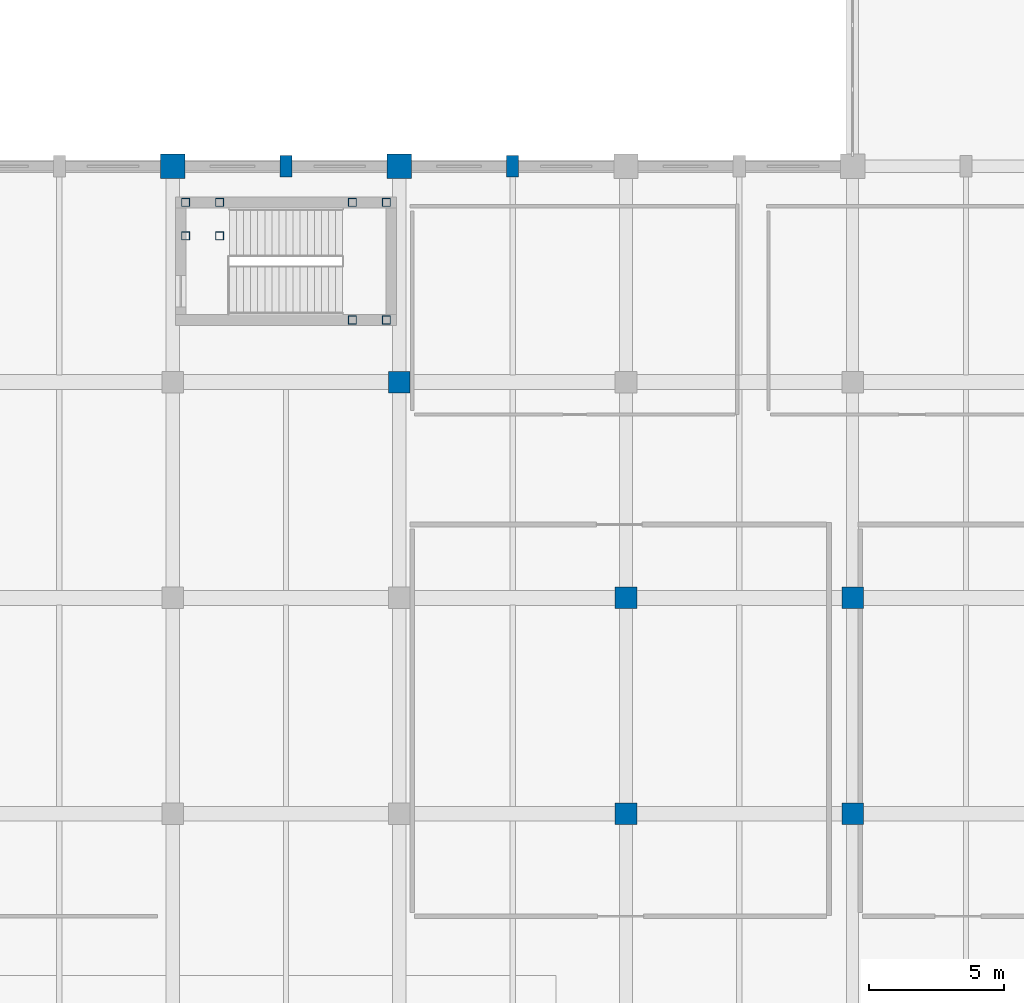
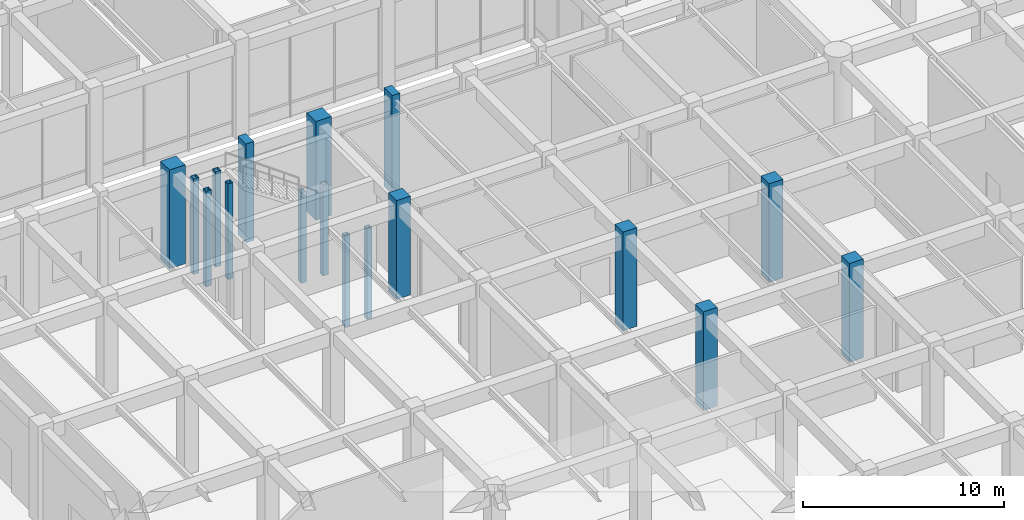
# One storey, part 3 of 76: 17 columns.
"""IFC4 building model written with IfcOpenShell, lengths in metres."""

from ifc_helpers import new_model, si_unit, direction, frame, origin, origin_2d, place, context, subcontext, project, spatial, rectangle, hollow_rectangle, extrude, material, material_profile, profile_set, type_object, element, save


model = new_model("IFC4")

# Units and contexts
model_context = context("Model", 3, precision=1e-05, world=origin(), true_north=direction((0.0, 1.0)))
body_context = subcontext(model_context, "Body", "Model", "MODEL_VIEW")
ifc_project = project(units=[si_unit("LENGTHUNIT", "METRE"), si_unit("AREAUNIT", "SQUARE_METRE"), si_unit("VOLUMEUNIT", "CUBIC_METRE"), si_unit("PLANEANGLEUNIT", "RADIAN"), si_unit("MASSUNIT", "GRAM", prefix="KILO")], contexts=[model_context])

# Site, building, storey
site_placement = place(None, origin())
site = spatial("IfcSite", under=ifc_project, at=site_placement, CompositionType="ELEMENT")
building_placement = place(site_placement, origin())
building = spatial("IfcBuilding", under=site, at=building_placement, Name="Naruveol Harbour Congress Hotel", CompositionType="ELEMENT")
storey_placement = place(building_placement, origin())
storey = spatial("IfcBuildingStorey", under=building, at=storey_placement, Name="L00", CompositionType="ELEMENT", Elevation=0.0)

# Columns
ifc_material_1 = material(Name="Concrete C50/60", Category="concrete")
ifc_material_profile_1 = material_profile(ifc_material_1, rectangle(XDim=0.449951171875, YDim=0.800048828125, at=origin_2d()), Name="RC-450x800")
ifc_profile_set_1 = profile_set([ifc_material_profile_1], Name="Concrete C50/60")
column_type_1 = type_object("IfcColumnType", Name="RC ACOUSTIC WALL PILASTER 450X800", PredefinedType="PILASTER", material=ifc_profile_set_1)
for number, where, z_axis, x_axis, name in (
    (1, (21.0, 56.0, 0.0), (0.0, 0.0, 1.0), (1.0, 0.0, 0.0), "Column PL-450 L00 (21.0,56.0)"),
    (2, (29.39990234375, 56.0, 0.0), (0.0, 0.0, 1.0), (1.0, 0.0, 0.0), "Column PL-450 L00 (29.4,56.0)"),
):
    element("IfcColumn", number, at=place(storey_placement, frame(where, z_axis=z_axis, x_axis=x_axis)), inside=storey, type_object=column_type_1, Name=name, PredefinedType="PILASTER", context=body_context, shape_type="SweptSolid", body=[
        extrude(rectangle(XDim=0.449951171875, YDim=0.800048828125, at=origin_2d()), origin(), (0.0, 0.0, 1.0), 6.0),
    ])
ifc_material_2 = material(Name="Concrete C50/60", Category="concrete")
ifc_material_profile_2 = material_profile(ifc_material_2, rectangle(XDim=0.800048828125, YDim=0.800048828125, at=origin_2d()), Name="RC-800x800")
ifc_profile_set_2 = profile_set([ifc_material_profile_2], Name="Concrete C50/60")
column_type_2 = type_object("IfcColumnType", Name="RC PODIUM COLUMN 800X800", PredefinedType="COLUMN", material=ifc_profile_set_2)
for number, where, z_axis, x_axis, name in (
    (3, (25.199951171875, 48.0, 0.0), (0.0, 0.0, 1.0), (1.0, 0.0, 0.0), "Column C-800 L00 (25.2,48.0)"),
    (4, (33.60009765625, 32.0, 0.0), (0.0, 0.0, 1.0), (1.0, 0.0, 0.0), "Column C-800 L00 (33.6,32.0)"),
    (5, (33.60009765625, 40.0, 0.0), (0.0, 0.0, 1.0), (1.0, 0.0, 0.0), "Column C-800 L00 (33.6,40.0)"),
    (6, (42.0, 32.0, 0.0), (0.0, 0.0, 1.0), (1.0, 0.0, 0.0), "Column C-800 L00 (42.0,32.0)"),
    (7, (42.0, 40.0, 0.0), (0.0, 0.0, 1.0), (1.0, 0.0, 0.0), "Column C-800 L00 (42.0,40.0)"),
):
    element("IfcColumn", number, at=place(storey_placement, frame(where, z_axis=z_axis, x_axis=x_axis)), inside=storey, type_object=column_type_2, Name=name, PredefinedType="COLUMN", context=body_context, shape_type="SweptSolid", body=[
        extrude(rectangle(XDim=0.800048828125, YDim=0.800048828125, at=origin_2d()), origin(), (0.0, 0.0, 1.0), 6.0),
    ])
ifc_material_3 = material(Name="Concrete C50/60", Category="concrete")
ifc_material_profile_3 = material_profile(ifc_material_3, rectangle(XDim=0.89990234375, YDim=0.89990234375, at=origin_2d()), Name="RC-900x900")
ifc_profile_set_3 = profile_set([ifc_material_profile_3], Name="Concrete C50/60")
column_type_3 = type_object("IfcColumnType", Name="RC PRIMARY COLUMN 900X900", PredefinedType="COLUMN", material=ifc_profile_set_3)
for number, where, z_axis, x_axis, name in (
    (8, (16.800048828125, 56.0, 0.0), (0.0, 0.0, 1.0), (1.0, 0.0, 0.0), "Column C-900 L00 (16.8,56.0)"),
    (9, (25.199951171875, 56.0, 0.0), (0.0, 0.0, 1.0), (1.0, 0.0, 0.0), "Column C-900 L00 (25.2,56.0)"),
):
    element("IfcColumn", number, at=place(storey_placement, frame(where, z_axis=z_axis, x_axis=x_axis)), inside=storey, type_object=column_type_3, Name=name, PredefinedType="COLUMN", context=body_context, shape_type="SweptSolid", body=[
        extrude(rectangle(XDim=0.89990234375, YDim=0.89990234375, at=origin_2d()), origin(), (0.0, 0.0, 1.0), 6.0),
    ])
ifc_material_4 = material(Name="Steel SN490", Category="steel")
ifc_material_profile_4 = material_profile(ifc_material_4, hollow_rectangle(XDim=0.300048828125, YDim=0.300048828125, WallThickness=0.011962890625, at=origin_2d()), Name="SHS-300x300x12")
ifc_profile_set_4 = profile_set([ifc_material_profile_4], Name="Steel SN490")
column_type_4 = type_object("IfcColumnType", Name="STEEL COLONNADE POST SHS300", PredefinedType="COLUMN", material=ifc_profile_set_4)
for number, where, z_axis, x_axis, name in (
    (10, (17.280029296875, 53.419921875, 0.0), (0.0, 0.0, 1.0), (1.0, 0.0, 0.0), "Stair landing support post ST6W #362"),
    (11, (17.280029296875, 54.659912109375, 0.0), (0.0, 0.0, 1.0), (1.0, 0.0, 0.0), "Stair landing support post ST6W #365"),
    (12, (18.5400390625, 53.419921875, 0.0), (0.0, 0.0, 1.0), (1.0, 0.0, 0.0), "Stair landing support post ST6W #368"),
    (13, (18.5400390625, 54.659912109375, 0.0), (0.0, 0.0, 1.0), (1.0, 0.0, 0.0), "Stair landing support post ST6W #371"),
):
    element("IfcColumn", number, at=place(storey_placement, frame(where, z_axis=z_axis, x_axis=x_axis)), inside=storey, type_object=column_type_4, Name=name, PredefinedType="COLUMN", context=body_context, shape_type="SweptSolid", body=[
        extrude(hollow_rectangle(XDim=0.300048828125, YDim=0.300048828125, WallThickness=0.011962890625, at=origin_2d()), origin(), (0.0, 0.0, 1.0), 5.820068359375),
    ])
for number, where, z_axis, x_axis, name in (
    (14, (23.4599609375, 50.300048828125, -2.699951171875), (0.0, 0.0, 1.0), (1.0, 0.0, 0.0), "Stair landing support post ST6E #374"),
    (15, (23.4599609375, 54.659912109375, -2.699951171875), (0.0, 0.0, 1.0), (1.0, 0.0, 0.0), "Stair landing support post ST6E #377"),
    (16, (24.719970703125, 50.300048828125, -2.699951171875), (0.0, 0.0, 1.0), (1.0, 0.0, 0.0), "Stair landing support post ST6E #380"),
    (17, (24.719970703125, 54.659912109375, -2.699951171875), (0.0, 0.0, 1.0), (1.0, 0.0, 0.0), "Stair landing support post ST6E #383"),
):
    element("IfcColumn", number, at=place(storey_placement, frame(where, z_axis=z_axis, x_axis=x_axis)), inside=storey, type_object=column_type_4, Name=name, PredefinedType="COLUMN", context=body_context, shape_type="SweptSolid", body=[
        extrude(hollow_rectangle(XDim=0.300048828125, YDim=0.300048828125, WallThickness=0.011962890625, at=origin_2d()), origin(), (0.0, 0.0, 1.0), 5.52001953125),
    ])

save(model, "model.ifc")
